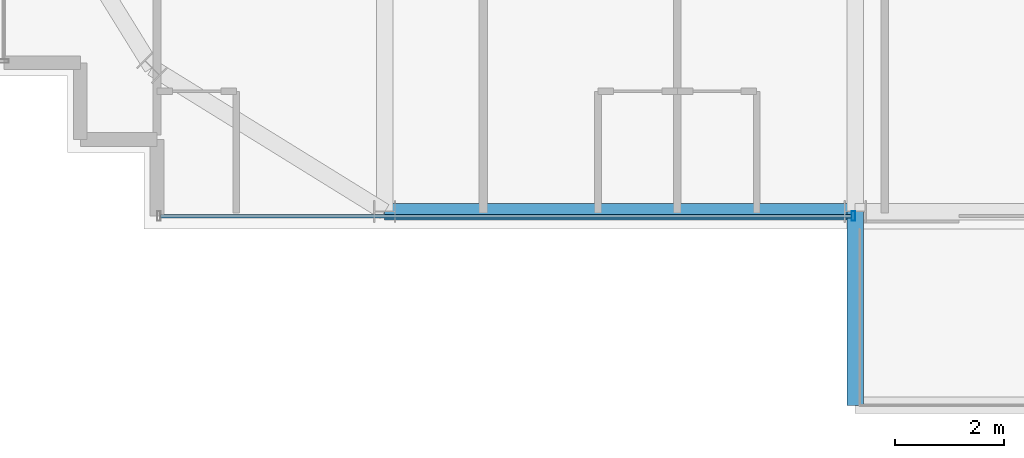
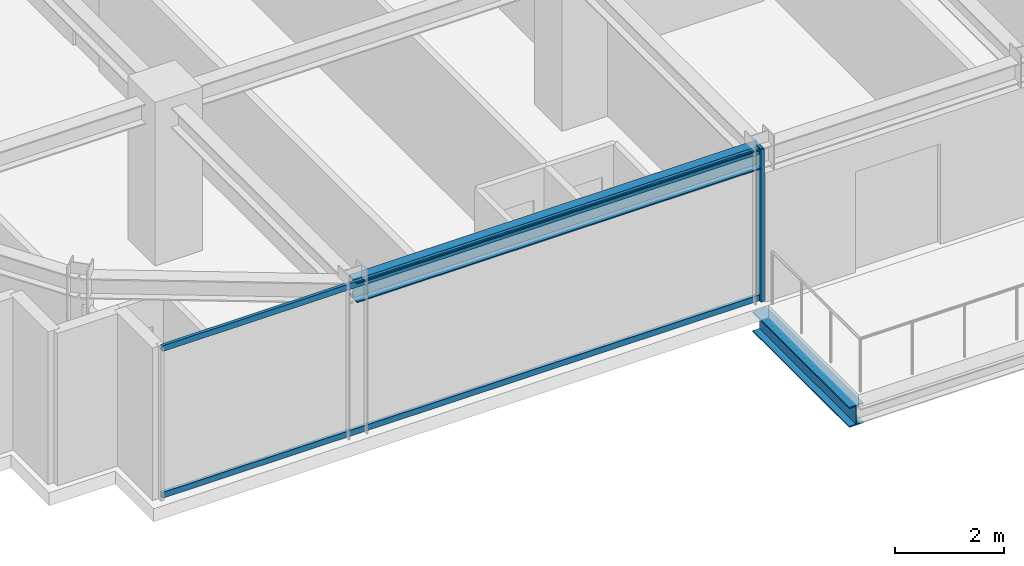
# One storey, part 4 of 34: 3 members, 2 beams, 1 element without a shape of its own.
"""IFC4 building model written with IfcOpenShell, lengths in metres."""

from ifc_helpers import new_model, si_unit, direction, frame, origin, origin_2d, place, context, subcontext, project, spatial, hollow_rectangle, i_section, extrude, source, transform, mapped, material, material_profile, profile_set, type_object, element, aggregate, save


model = new_model("IFC4")

# Units and contexts
model_context = context("Model", 3, precision=1e-05, world=origin(), true_north=direction((0.0, 1.0)))
body_context = subcontext(model_context, "Body", "Model", "MODEL_VIEW")
ifc_project = project(units=[si_unit("LENGTHUNIT", "METRE"), si_unit("AREAUNIT", "SQUARE_METRE"), si_unit("VOLUMEUNIT", "CUBIC_METRE"), si_unit("PLANEANGLEUNIT", "RADIAN"), si_unit("MASSUNIT", "GRAM", prefix="KILO")], contexts=[model_context])

# Site, building, storey
site_placement = place(None, origin())
site = spatial("IfcSite", under=ifc_project, at=site_placement, CompositionType="ELEMENT")
building_placement = place(site_placement, origin())
building = spatial("IfcBuilding", under=site, at=building_placement, Name="Nahalor Promenade Grand Hotel", CompositionType="ELEMENT")
storey_placement = place(building_placement, frame((0.0, 0.0, 208.60009765625)))
storey = spatial("IfcBuildingStorey", under=building, at=storey_placement, Name="L53", CompositionType="ELEMENT", Elevation=208.60009765625)

# Beams
ifc_material_1 = material(Name="Steel S355JR", Category="steel")
ifc_material_profile_1 = material_profile(ifc_material_1, i_section(OverallWidth=0.3, OverallDepth=0.45, WebThickness=0.014, FlangeThickness=0.026, at=origin_2d()), Name="HEB 450")
ifc_profile_set_1 = profile_set([ifc_material_profile_1], Name="Steel S355JR")
beam_type_1 = type_object("IfcBeamType", Name="Beam-Outrigger-HEB450", PredefinedType="BEAM", material=ifc_profile_set_1)
shared_shape_1 = source(origin(), body_context, "Body", "SweptSolid", [
    extrude(i_section(OverallWidth=0.3, OverallDepth=0.45, WebThickness=0.014, FlangeThickness=0.026, at=origin_2d()), origin(), (0.0, 0.0, 1.0), 3.5400390625),
])
beam_1_placement = place(storey_placement, frame((-8.39990234375, -27.419921875, -0.505126953125), z_axis=(0.0, 1.0, 0.0), x_axis=(-1.0, 0.0, 0.0)))
element("IfcBeam", 1, at=beam_1_placement, inside=storey, type_object=beam_type_1, Name="BM-L53-BC-01-1", PredefinedType="BEAM", context=body_context, shape_type="MappedRepresentation", body=[
    mapped(shared_shape_1, transform((0.0, 0.0, 0.0), scale=1.0)),
])
ifc_material_profile_2 = material_profile(ifc_material_1, i_section(OverallWidth=0.3, OverallDepth=0.45, WebThickness=0.014, FlangeThickness=0.026, at=origin_2d()), Name="HEB 450")
ifc_profile_set_2 = profile_set([ifc_material_profile_2], Name="Steel S355JR")
beam_type_2 = type_object("IfcBeamType", Name="Beam-Spandrel-HEB450", PredefinedType="SPANDREL", material=ifc_profile_set_2)
shared_shape_2 = source(origin(), body_context, "Body", "SweptSolid", [
    extrude(i_section(OverallWidth=0.3, OverallDepth=0.45, WebThickness=0.014, FlangeThickness=0.026, at=origin_2d()), origin(), (0.0, 0.0, 1.0), 8.60009765625),
])
beam_2_placement = place(storey_placement, frame((-17.0, -23.8798828125, 3.184814453125), z_axis=(1.0, 0.0, 0.0), x_axis=(0.0, 1.0, 0.0)))
element("IfcBeam", 2, at=beam_2_placement, inside=storey, type_object=beam_type_2, Name="BM-L53-SP-S-0", PredefinedType="SPANDREL", context=body_context, shape_type="MappedRepresentation", body=[
    mapped(shared_shape_2, transform((0.0, 0.0, 0.0), scale=1.0)),
])

# Curtain wall, members
ifc_material_2 = material(Name="Anodised Bronze Aluminium EN AW-6063 T6", Category="aluminium")
curtain_wall_type = type_object("IfcCurtainWallType", Name="CW2 Typical Hotel Flush Bronze Unitised Curtain Wall", PredefinedType="USERDEFINED", material=ifc_material_2)
curtain_wall_placement = place(storey_placement, origin())
curtain_wall = element("IfcCurtainWall", 3, at=curtain_wall_placement, inside=storey, type_object=curtain_wall_type, Name="L53 Curtain Wall CW-L53-S-1", ObjectType="UNITISED_CURTAIN_WALL", PredefinedType="USERDEFINED")
ifc_material_profile_3 = material_profile(ifc_material_2, hollow_rectangle(XDim=0.065, YDim=0.13, WallThickness=0.004, at=origin_2d()), Name="CWT 65x130x4")
ifc_profile_set_3 = profile_set([ifc_material_profile_3], Name="Anodised Bronze Aluminium EN AW-6063 T6")
member_type_1 = type_object("IfcMemberType", Name="CWT2 Typical Bronze Transom 65x130", PredefinedType="USERDEFINED", material=ifc_profile_set_3)
shared_shape_3 = source(origin(), body_context, "Body", "SweptSolid", [
    extrude(hollow_rectangle(XDim=0.065, YDim=0.13, WallThickness=0.004, at=origin_2d()), origin(), (0.0, 0.0, 1.0), 12.6298828125),
])
member_1_placement = place(storey_placement, frame((-21.094970703125, -23.9599609375, 0.06494140625), z_axis=(1.0, 0.0, 0.0), x_axis=(0.0, 1.0, 0.0)))
member_1 = element("IfcMember", 4, at=member_1_placement, type_object=member_type_1, Name="CW-L53-S-1 Transom 0-0", ObjectType="TRANSOM", PredefinedType="USERDEFINED", context=body_context, shape_type="MappedRepresentation", body=[
    mapped(shared_shape_3, transform((0.0, 0.0, 0.0), scale=1.0)),
])
member_2_placement = place(storey_placement, frame((-21.094970703125, -23.9599609375, 3.344970703125), z_axis=(1.0, 0.0, 0.0), x_axis=(0.0, 1.0, 0.0)))
member_2 = element("IfcMember", 5, at=member_2_placement, type_object=member_type_1, Name="CW-L53-S-1 Transom 0-1", ObjectType="TRANSOM", PredefinedType="USERDEFINED", context=body_context, shape_type="MappedRepresentation", body=[
    mapped(shared_shape_3, transform((0.0, 0.0, 0.0), scale=1.0)),
])
ifc_material_profile_4 = material_profile(ifc_material_2, hollow_rectangle(XDim=0.065, YDim=0.18, WallThickness=0.004, at=origin_2d()), Name="CWM 65x180x4")
ifc_profile_set_4 = profile_set([ifc_material_profile_4], Name="Anodised Bronze Aluminium EN AW-6063 T6")
member_type_2 = type_object("IfcMemberType", Name="CWM2 Typical Bronze Mullion 65x180", PredefinedType="MULLION", material=ifc_profile_set_4)
shared_shape_4 = source(origin(), body_context, "Body", "SweptSolid", [
    extrude(hollow_rectangle(XDim=0.065, YDim=0.18, WallThickness=0.004, at=origin_2d()), origin(), (0.0, 0.0, 1.0), 3.409912109375),
])
member_3_placement = place(storey_placement, frame((-8.4326171875, -23.9599609375, 0.0), z_axis=(0.0, 0.0, 1.0), x_axis=(1.0, 0.0, 0.0)))
member_3 = element("IfcMember", 6, at=member_3_placement, type_object=member_type_2, Name="CW-L53-S-1 Mullion 1", PredefinedType="MULLION", context=body_context, shape_type="MappedRepresentation", body=[
    mapped(shared_shape_4, transform((0.0, 0.0, 0.0), scale=1.0)),
])
aggregate(curtain_wall, [member_3, member_1, member_2])

save(model, "model.ifc")
